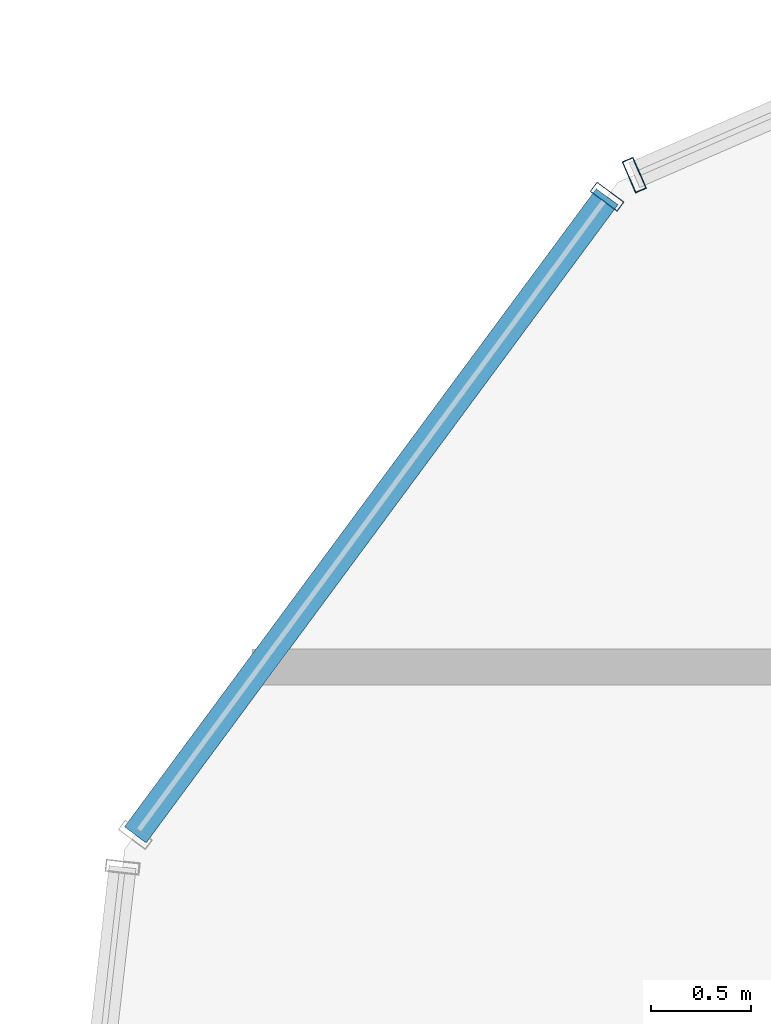
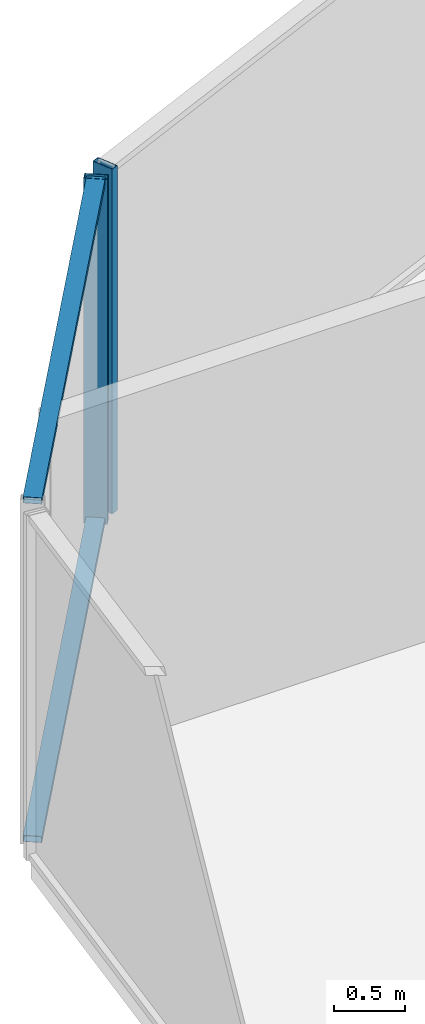
# One storey, part 17 of 29: 4 members, 2 elements without a shape of their own.
"""IFC4 building model written with IfcOpenShell, lengths in metres."""

import ifcopenshell
import ifcopenshell.guid

model = None  # the IFC model being written
_history = None  # IfcOwnerHistory: only IFC2X3 demands one
_inside = {}  # id of a spatial element -> (the spatial element, [elements in it])
_under = {}  # id of a project, library or spatial element -> (it, [spatial elements below it])
_declared = {}  # id of a project -> (the project, [libraries it declares])
_typed = {}  # id of a type object -> (the type object, [elements of that type])
_made_of = {}  # id of a material, layer set ... -> (it, [elements and type objects made of it])


def new_model(schema):
    """Start an empty IFC model of exactly this schema.

    Asked for "IFC4X3", IfcOpenShell would pick the latest addendum, in which some entities
    have other attributes; the version numbers below select the first issue.
    IFC2X3 requires an IfcOwnerHistory on every rooted entity: one is made here for all.
    """
    global model, _history
    if schema == "IFC4X3":
        model = ifcopenshell.file(schema_version=(4, 3, 0, 0))
    else:
        model = ifcopenshell.file(schema=schema)
    _inside.clear()
    _under.clear()
    _declared.clear()
    _typed.clear()
    _made_of.clear()
    _history = None
    if model.schema == "IFC2X3":
        org = make("IfcOrganization", Name="unknown")
        user = make(
            "IfcPersonAndOrganization",
            ThePerson=make("IfcPerson", FamilyName="unknown"),
            TheOrganization=org,
        )
        app = make(
            "IfcApplication",
            ApplicationDeveloper=org,
            Version="unknown",
            ApplicationFullName="unknown",
            ApplicationIdentifier="unknown",
        )
        _history = make(
            "IfcOwnerHistory",
            OwningUser=user,
            OwningApplication=app,
            ChangeAction="ADDED",
            CreationDate=0,
        )
    return model


def make(cls, **values):
    """One entity of the class cls with the attributes given. An attribute that is None is left unset."""
    return model.create_entity(
        cls, **{name: value for name, value in values.items() if value is not None}
    )


def rooted(cls, **values):
    """An entity with a GlobalId (a new one), such as an element, a storey or a relation."""
    return make(cls, GlobalId=ifcopenshell.guid.new(), OwnerHistory=_history, **values)


def si_unit(unit_type, name, prefix=None):
    """IfcSIUnit, for example si_unit("LENGTHUNIT", "METRE", prefix="MILLI")."""
    return make("IfcSIUnit", UnitType=unit_type, Prefix=prefix, Name=name)


def assignment(units):
    """IfcUnitAssignment: the units of a project."""
    return None if units is None else make("IfcUnitAssignment", Units=units)


def point(xyz):
    """IfcCartesianPoint."""
    return None if xyz is None else make("IfcCartesianPoint", Coordinates=xyz)


def direction(xyz):
    """IfcDirection."""
    return None if xyz is None else make("IfcDirection", DirectionRatios=xyz)


def frame(location, z_axis=None, x_axis=None):
    """IfcAxis2Placement3D, a coordinate frame: its origin and axes. An axis left out is left unset."""
    return make(
        "IfcAxis2Placement3D",
        Location=point(location),
        Axis=direction(z_axis),
        RefDirection=direction(x_axis),
    )


def frame_2d(location, x_axis=None):
    """IfcAxis2Placement2D, a coordinate frame in the plane: its origin and x axis."""
    return make(
        "IfcAxis2Placement2D", Location=point(location), RefDirection=direction(x_axis)
    )


def origin():
    """The frame at (0, 0, 0) with its axes left unset."""
    return frame((0.0, 0.0, 0.0))


def origin_2d():
    """The frame at (0, 0) in the plane with its x axis left unset."""
    return frame_2d((0.0, 0.0))


def place(relative_to, where):
    """IfcLocalPlacement: puts the frame where relative to a parent placement (None: the world)."""
    return make(
        "IfcLocalPlacement", PlacementRelTo=relative_to, RelativePlacement=where
    )


def context(
    kind, dimensions, precision=None, world=None, true_north=None, identifier=None
):
    """IfcGeometricRepresentationContext, for example the 3D "Model" context."""
    return make(
        "IfcGeometricRepresentationContext",
        ContextIdentifier=identifier,
        ContextType=kind,
        CoordinateSpaceDimension=dimensions,
        Precision=precision,
        WorldCoordinateSystem=world,
        TrueNorth=true_north,
    )


def subcontext(parent, identifier, kind, view, scale=None):
    """IfcGeometricRepresentationSubContext, for example "Body" below "Model"."""
    return make(
        "IfcGeometricRepresentationSubContext",
        ContextIdentifier=identifier,
        ContextType=kind,
        ParentContext=parent,
        TargetScale=scale,
        TargetView=view,
    )


def project(units=None, contexts=None):
    """IfcProject with its units and contexts."""
    return rooted(
        "IfcProject",
        Name="project",
        RepresentationContexts=contexts,
        UnitsInContext=assignment(units),
    )


def spatial(cls, under=None, at=None, **own):
    """A site, building, storey or space (cls), placed at a placement, below another one or the project."""
    s = rooted(cls, ObjectPlacement=at, **own)
    if under is not None:
        _under.setdefault(under.id(), (under, []))[1].append(s)
    return s


def profile(cls, at=None, kind="AREA", **sizes):
    """A parametric profile (cls). Its sizes go by their IFC names, for example OverallWidth=200.0."""
    return make(cls, ProfileType=kind, Position=at, **sizes)


def hollow_rectangle(**sizes):
    """IfcRectangleHollowProfileDef."""
    return profile("IfcRectangleHollowProfileDef", **sizes)


def extrude(swept, where, along, depth):
    """IfcExtrudedAreaSolid: the profile swept, set in the frame where, extruded along a direction by depth."""
    return make(
        "IfcExtrudedAreaSolid",
        SweptArea=swept,
        Position=where,
        ExtrudedDirection=direction(along),
        Depth=depth,
    )


def shape(context_of_items, identifier, shape_type, items):
    """IfcShapeRepresentation: the items that make up one representation, for example the "Body"."""
    return make(
        "IfcShapeRepresentation",
        ContextOfItems=context_of_items,
        RepresentationIdentifier=identifier,
        RepresentationType=shape_type,
        Items=items,
    )


def source(mapping_origin, context_of_items, identifier, shape_type, items):
    """IfcRepresentationMap: a shape defined once, which mapped items show again and again."""
    return make(
        "IfcRepresentationMap",
        MappingOrigin=mapping_origin,
        MappedRepresentation=shape(context_of_items, identifier, shape_type, items),
    )


def transform(
    local_origin,
    x_axis=None,
    y_axis=None,
    z_axis=None,
    scale=None,
    scale2=None,
    scale3=None,
    uniform=True,
):
    """IfcCartesianTransformationOperator3D, or its non-uniform kind. x_axis, y_axis, z_axis: its Axis1, 2, 3."""
    if uniform:
        return make(
            "IfcCartesianTransformationOperator3D",
            Axis1=direction(x_axis),
            Axis2=direction(y_axis),
            LocalOrigin=point(local_origin),
            Scale=scale,
            Axis3=direction(z_axis),
        )
    return make(
        "IfcCartesianTransformationOperator3DnonUniform",
        Axis1=direction(x_axis),
        Axis2=direction(y_axis),
        LocalOrigin=point(local_origin),
        Scale=scale,
        Axis3=direction(z_axis),
        Scale2=scale2,
        Scale3=scale3,
    )


def mapped(mapping_source, mapping_target):
    """IfcMappedItem: shows the shape of a source again, moved by a transform."""
    return make(
        "IfcMappedItem", MappingSource=mapping_source, MappingTarget=mapping_target
    )


def material(Name=None, Category=None):
    """IfcMaterial."""
    return make("IfcMaterial", Name=Name, Category=Category)


def layer(
    of_material, thickness, ventilated=None, Name=None, Category=None, Priority=None
):
    """IfcMaterialLayer: one layer of a wall or slab, of a material (None: an air gap)."""
    return make(
        "IfcMaterialLayer",
        Material=of_material,
        LayerThickness=thickness,
        IsVentilated=ventilated,
        Name=Name,
        Category=Category,
        Priority=Priority,
    )


def layer_set(layers, Name=None):
    """IfcMaterialLayerSet."""
    return make("IfcMaterialLayerSet", MaterialLayers=layers, LayerSetName=Name)


def material_profile(
    of_material, cross_section, Name=None, Category=None, Priority=None
):
    """IfcMaterialProfile: a cross section and its material."""
    return make(
        "IfcMaterialProfile",
        Name=Name,
        Material=of_material,
        Profile=cross_section,
        Priority=Priority,
        Category=Category,
    )


def profile_set(profiles, Name=None, composite=None):
    """IfcMaterialProfileSet."""
    return make(
        "IfcMaterialProfileSet",
        Name=Name,
        MaterialProfiles=profiles,
        CompositeProfile=composite,
    )


def made_of(thing, what):
    """Note that an element or type object is made of a material, layer set ...; save() writes the relation."""
    if what is not None:
        _made_of.setdefault(what.id(), (what, []))[1].append(thing)
    return thing


def type_object(cls, material=None, **own):
    """A type object (cls), such as IfcWallType, which elements share."""
    return made_of(rooted(cls, **own), material)


def element(
    cls,
    number,
    at=None,
    inside=None,
    cuts=None,
    type_object=None,
    material=None,
    context=None,
    identifier="Body",
    shape_type=None,
    held_by="IfcProductDefinitionShape",
    body=None,
    shapes=None,
    **own,
):
    """One element of the class cls, such as IfcWall. Its Tag is "e" and its number.

    at: its placement. inside: the storey or other place that contains it. cuts: it is an
    opening in that element (IfcRelVoidsElement). A single representation is given by context,
    identifier, shape_type and body (its items); several are given by shapes. held_by: the class
    of the entity that holds the representations. save() writes the other relations.
    """
    e = rooted(cls, Tag="e%d" % number, ObjectPlacement=at, **own)
    if body is not None:
        shapes = [shape(context, identifier, shape_type, body)]
    if shapes is not None:
        e.Representation = make(held_by, Representations=shapes)
    if inside is not None:
        _inside.setdefault(inside.id(), (inside, []))[1].append(e)
    if cuts is not None:
        rooted(
            "IfcRelVoidsElement", RelatingBuildingElement=cuts, RelatedOpeningElement=e
        )
    if type_object is not None:
        _typed.setdefault(type_object.id(), (type_object, []))[1].append(e)
    return made_of(e, material)


def aggregate(whole, parts):
    """IfcRelAggregates: a whole, such as a stair, and the parts it consists of."""
    return rooted("IfcRelAggregates", RelatingObject=whole, RelatedObjects=parts)


def save(model, path):
    """Write the relations noted so far, then the file.

    IfcRelAggregates (storeys below a building ...), IfcRelContainedInSpatialStructure (elements
    in a storey), IfcRelDefinesByType, IfcRelAssociatesMaterial and IfcRelDeclares: one each for
    every whole, place, type object, material and project.
    """
    for whole, parts in _under.values():
        aggregate(whole, parts)
    for where, things in _inside.values():
        rooted(
            "IfcRelContainedInSpatialStructure",
            RelatedElements=things,
            RelatingStructure=where,
        )
    for kind, things in _typed.values():
        rooted("IfcRelDefinesByType", RelatedObjects=things, RelatingType=kind)
    for what, things in _made_of.values():
        rooted("IfcRelAssociatesMaterial", RelatedObjects=things, RelatingMaterial=what)
    for by, libraries in _declared.values():
        rooted("IfcRelDeclares", RelatingContext=by, RelatedDefinitions=libraries)
    model.write(path)


model = new_model("IFC4")

# Units and contexts
model_context = context("Model", 3, precision=1e-05, world=origin(), true_north=direction((0.0, 1.0)))
body_context = subcontext(model_context, "Body", "Model", "MODEL_VIEW")
ifc_project = project(units=[si_unit("LENGTHUNIT", "METRE"), si_unit("AREAUNIT", "SQUARE_METRE"), si_unit("VOLUMEUNIT", "CUBIC_METRE"), si_unit("PLANEANGLEUNIT", "RADIAN"), si_unit("MASSUNIT", "GRAM", prefix="KILO")], contexts=[model_context])

# Site, building, storey
site_placement = place(None, origin())
site = spatial("IfcSite", under=ifc_project, at=site_placement, CompositionType="ELEMENT")
building_placement = place(site_placement, origin())
building = spatial("IfcBuilding", under=site, at=building_placement, Name="Veraguas Prism Commons", CompositionType="ELEMENT")
storey_placement = place(building_placement, frame((0.0, 0.0, 105.699951171875)))
storey = spatial("IfcBuildingStorey", under=building, at=storey_placement, Name="L29", CompositionType="ELEMENT", Elevation=105.699951171875)

# Curtain wall, member
ifc_material = material(Name="Anodised aluminium EN AW-6063 T6", Category="aluminium")
ifc_layer = layer(ifc_material, 0.169921875, Name="Unitised Flush Curtain Wall Zone 2", Category="aluminium")
ifc_layer_set = layer_set([ifc_layer], Name="Anodised aluminium EN AW-6063 T6")
curtain_wall_type = type_object("IfcCurtainWallType", Name="Unitised Flush Curtain Wall Zone 2", PredefinedType="NOTDEFINED", material=ifc_layer_set)
curtain_wall_1_placement = place(storey_placement, origin())
curtain_wall_1 = element("IfcCurtainWall", 1, at=curtain_wall_1_placement, inside=storey, type_object=curtain_wall_type, Name="Tower Facade Curtain Wall L29-F2", PredefinedType="NOTDEFINED")
ifc_material_profile_1 = material_profile(ifc_material, hollow_rectangle(XDim=0.06005859375, YDim=0.169921875, WallThickness=0.00390625, at=origin_2d()), Name="AL60X170X4")
ifc_profile_set_1 = profile_set([ifc_material_profile_1], Name="Anodised aluminium EN AW-6063 T6")
member_type_1 = type_object("IfcMemberType", Name="Curtain Wall Mullion Lower AL 60x170x4", PredefinedType="MULLION", material=ifc_profile_set_1)
shared_shape_1 = source(origin(), body_context, "Body", "SweptSolid", [
    extrude(hollow_rectangle(XDim=0.06005859375, YDim=0.169921875, WallThickness=0.00390625, at=origin_2d()), origin(), (0.0, 0.0, 1.0), 2.969970703125),
])
member_1_placement = place(storey_placement, frame((8.47119140625, 38.161865234375, 0.0), z_axis=(0.0, 0.0, 1.0), x_axis=(-0.916919435815, -0.399072359635, 0.0)))
member_1 = element("IfcMember", 2, at=member_1_placement, type_object=member_type_1, Name="CW-Z2 Mullion 5", PredefinedType="MULLION", context=body_context, shape_type="MappedRepresentation", body=[
    mapped(shared_shape_1, transform((0.0, 0.0, 0.0), scale=1.0)),
])
aggregate(curtain_wall_1, [member_1])

# Curtain wall, members
curtain_wall_2_placement = place(storey_placement, origin())
curtain_wall_2 = element("IfcCurtainWall", 3, at=curtain_wall_2_placement, inside=storey, type_object=curtain_wall_type, Name="Chamfer Curtain Wall L29-C3", PredefinedType="NOTDEFINED")
member_2_placement = place(storey_placement, frame((8.3349609375, 38.0537109375, 0.0), z_axis=(0.0, 0.0, 1.0), x_axis=(-0.594519697593, -0.804081046397, 0.0)))
member_2 = element("IfcMember", 4, at=member_2_placement, type_object=member_type_1, Name="CW-Z2 Mullion 1", PredefinedType="MULLION", context=body_context, shape_type="MappedRepresentation", body=[
    mapped(shared_shape_1, transform((0.0, 0.0, 0.0), scale=1.0)),
])
ifc_material_profile_2 = material_profile(ifc_material, hollow_rectangle(XDim=0.054931640625, YDim=0.135009765625, WallThickness=0.0029296875, at=origin_2d()), Name="AL55X135X3")
ifc_profile_set_2 = profile_set([ifc_material_profile_2], Name="Anodised aluminium EN AW-6063 T6")
member_type_2 = type_object("IfcMemberType", Name="Curtain Wall Transom Standard AL 55x135x3", PredefinedType="USERDEFINED", material=ifc_profile_set_2)
shared_shape_2 = source(origin(), body_context, "Body", "SweptSolid", [
    extrude(hollow_rectangle(XDim=0.054931640625, YDim=0.135009765625, WallThickness=0.0029296875, at=origin_2d()), origin(), (0.0, 0.0, 1.0), 3.97314453125),
])
member_3_placement = place(storey_placement, frame((8.3349609375, 38.0537109375, 0.027587890625), z_axis=(-0.594499902497, -0.804095682075, 0.0), x_axis=(0.0, 0.0, 1.0)))
member_3 = element("IfcMember", 5, at=member_3_placement, type_object=member_type_2, Name="CW-Z2 Transom 1", ObjectType="TRANSOM", PredefinedType="USERDEFINED", context=body_context, shape_type="MappedRepresentation", body=[
    mapped(shared_shape_2, transform((0.0, 0.0, 0.0), scale=1.0)),
])
member_4_placement = place(storey_placement, frame((8.3349609375, 38.0537109375, 2.942626953125), z_axis=(-0.594499902497, -0.804095682075, 0.0), x_axis=(0.0, 0.0, 1.0)))
member_4 = element("IfcMember", 6, at=member_4_placement, type_object=member_type_2, Name="CW-Z2 Transom 2", ObjectType="TRANSOM", PredefinedType="USERDEFINED", context=body_context, shape_type="MappedRepresentation", body=[
    mapped(shared_shape_2, transform((0.0, 0.0, 0.0), scale=1.0)),
])
aggregate(curtain_wall_2, [member_2, member_3, member_4])

save(model, "model.ifc")
